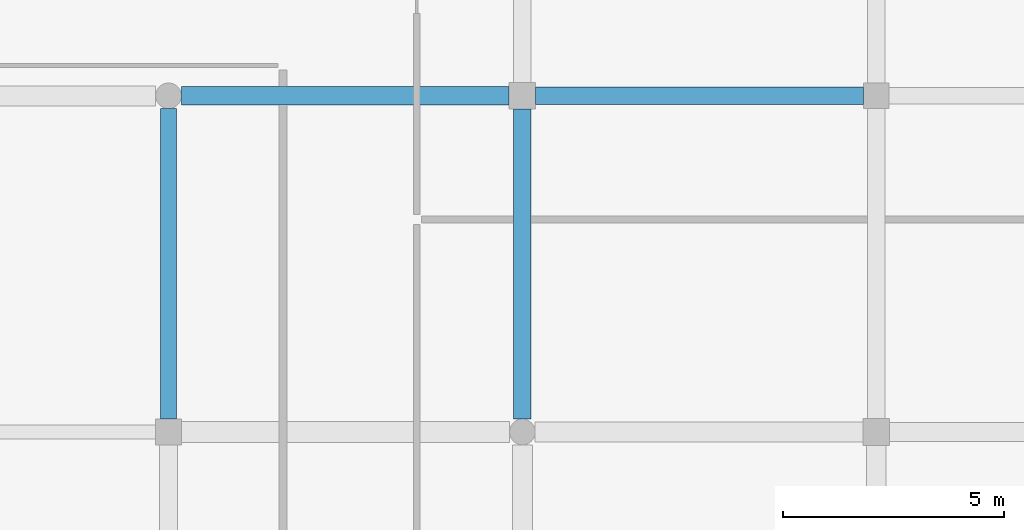
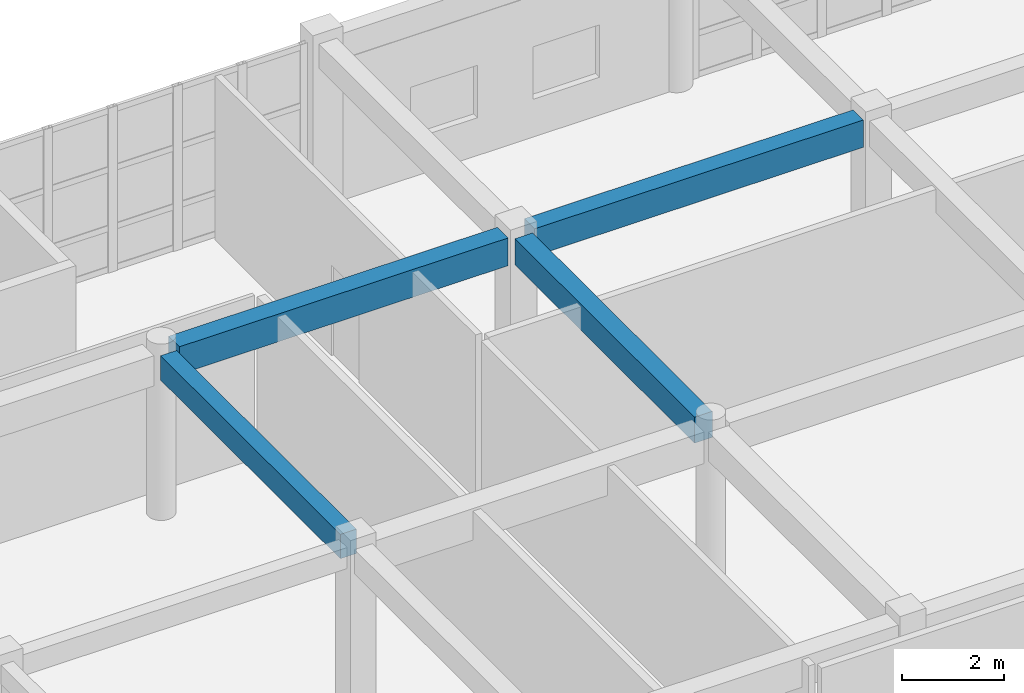
# One storey, part 66 of 121: 4 beams.
"""IFC4 building model written with IfcOpenShell, lengths in metres."""

from ifc_helpers import new_model, si_unit, direction, frame, origin, origin_2d, place, context, subcontext, project, spatial, rectangle, extrude, material, material_profile, profile_set, type_object, element, save


model = new_model("IFC4")

# Units and contexts
model_context = context("Model", 3, precision=1e-05, world=origin(), true_north=direction((0.0, 1.0)))
body_context = subcontext(model_context, "Body", "Model", "MODEL_VIEW")
ifc_project = project(units=[si_unit("LENGTHUNIT", "METRE"), si_unit("AREAUNIT", "SQUARE_METRE"), si_unit("VOLUMEUNIT", "CUBIC_METRE"), si_unit("PLANEANGLEUNIT", "RADIAN"), si_unit("MASSUNIT", "GRAM", prefix="KILO")], contexts=[model_context])

# Site, building, storey
site_placement = place(None, origin())
site = spatial("IfcSite", under=ifc_project, at=site_placement, CompositionType="ELEMENT")
building_placement = place(site_placement, origin())
building = spatial("IfcBuilding", under=site, at=building_placement, Name="Kharva Crest Polytechnic", CompositionType="ELEMENT")
storey_placement = place(building_placement, frame((0.0, 0.0, 13.199951171875)))
storey = spatial("IfcBuildingStorey", under=building, at=storey_placement, Name="L03", CompositionType="ELEMENT", Elevation=13.199951171875)

# Beams
ifc_material = material(Name="Concrete C35/45", Category="concrete")
ifc_material_profile_1 = material_profile(ifc_material, rectangle(XDim=0.360107421875, YDim=0.580078125, at=origin_2d()), Name="RECT 360 X 580")
ifc_profile_set_1 = profile_set([ifc_material_profile_1], Name="Concrete C35/45")
beam_type_1 = type_object("IfcBeamType", Name="BM-RC-360X580", PredefinedType="BEAM", material=ifc_profile_set_1)
beam_1_placement = place(storey_placement, frame((128.800048828125, 15.489990234375, 3.670166015625), z_axis=(0.0, 1.0, 0.0), x_axis=(-1.0, 0.0, 0.0)))
element("IfcBeam", 1, at=beam_1_placement, inside=storey, type_object=beam_type_1, Name="L03 Girder 17/C-D", PredefinedType="BEAM", context=body_context, shape_type="SweptSolid", body=[
    extrude(rectangle(XDim=0.360107421875, YDim=0.580078125, at=origin_2d()), origin(), (0.0, 0.0, 1.0), 7.02001953125),
])
ifc_material_profile_2 = material_profile(ifc_material, rectangle(XDim=0.39990234375, YDim=0.6201171875, at=origin_2d()), Name="RECT 400 X 620")
ifc_profile_set_2 = profile_set([ifc_material_profile_2], Name="Concrete C35/45")
beam_type_2 = type_object("IfcBeamType", Name="BM-RC-400X620", PredefinedType="BEAM", material=ifc_profile_set_2)
beam_2_placement = place(storey_placement, frame((136.800048828125, 15.489990234375, 3.650146484375), z_axis=(0.0, 1.0, 0.0), x_axis=(-1.0, 0.0, 0.0)))
element("IfcBeam", 2, at=beam_2_placement, inside=storey, type_object=beam_type_2, Name="L03 Girder 18/C-D", PredefinedType="BEAM", context=body_context, shape_type="SweptSolid", body=[
    extrude(rectangle(XDim=0.39990234375, YDim=0.6201171875, at=origin_2d()), origin(), (0.0, 0.0, 1.0), 7.010009765625),
])
ifc_material_profile_3 = material_profile(ifc_material, rectangle(XDim=0.39990234375, YDim=0.64990234375, at=origin_2d()), Name="RECT 400 X 650")
ifc_profile_set_3 = profile_set([ifc_material_profile_3], Name="Concrete C35/45")
beam_type_3 = type_object("IfcBeamType", Name="BM-RC-400X650", PredefinedType="BEAM", material=ifc_profile_set_3)
beam_3_placement = place(storey_placement, frame((137.10009765625, 22.800048828125, 3.635009765625), z_axis=(1.0, 0.0, 0.0), x_axis=(0.0, 1.0, 0.0)))
element("IfcBeam", 3, at=beam_3_placement, inside=storey, type_object=beam_type_3, Name="L03 Beam D/18-19", PredefinedType="BEAM", context=body_context, shape_type="SweptSolid", body=[
    extrude(rectangle(XDim=0.39990234375, YDim=0.64990234375, at=origin_2d()), origin(), (0.0, 0.0, 1.0), 7.409912109375),
])
ifc_material_profile_4 = material_profile(ifc_material, rectangle(XDim=0.419921875, YDim=0.659912109375, at=origin_2d()), Name="RECT 420 X 660")
ifc_profile_set_4 = profile_set([ifc_material_profile_4], Name="Concrete C35/45")
beam_type_4 = type_object("IfcBeamType", Name="BM-RC-420X660", PredefinedType="BEAM", material=ifc_profile_set_4)
beam_4_placement = place(storey_placement, frame((129.090087890625, 22.800048828125, 3.630126953125), z_axis=(1.0, 0.0, 0.0), x_axis=(0.0, 1.0, 0.0)))
element("IfcBeam", 4, at=beam_4_placement, inside=storey, type_object=beam_type_4, Name="L03 Beam D/17-18", PredefinedType="BEAM", context=body_context, shape_type="SweptSolid", body=[
    extrude(rectangle(XDim=0.419921875, YDim=0.659912109375, at=origin_2d()), origin(), (0.0, 0.0, 1.0), 7.409912109375),
])

save(model, "model.ifc")
